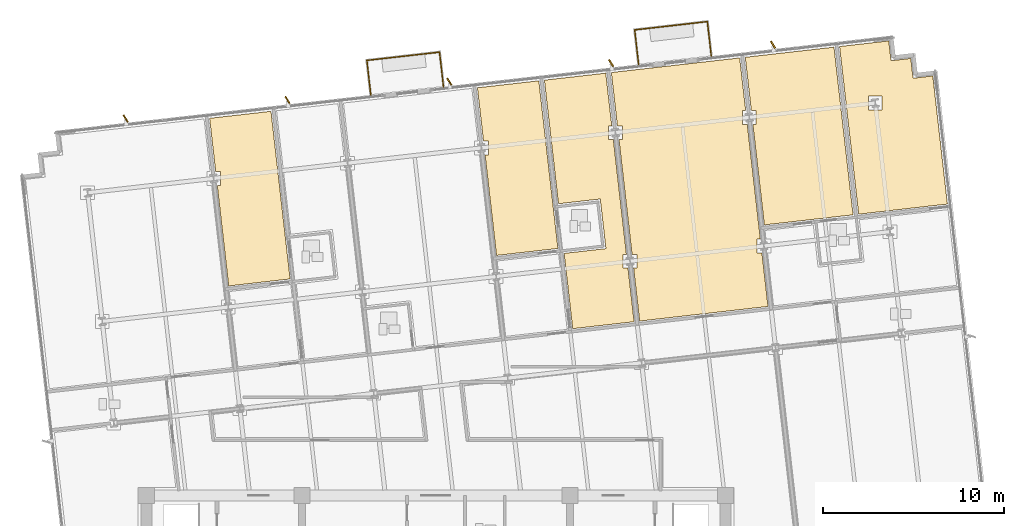
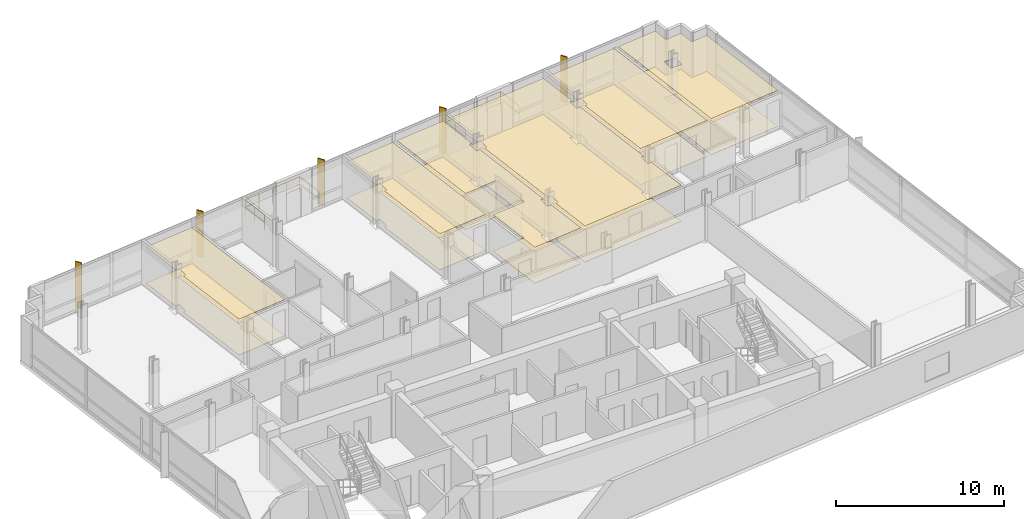
# One storey, part 15 of 16: 12 coverings, 6 railings, 5 shading devices.
"""IFC4 building model written with IfcOpenShell, lengths in metres."""

from ifc_helpers import new_model, si_unit, direction, frame, origin, origin_2d, place, context, subcontext, project, spatial, polyline, rectangle, circle, outline, extrude, material, layer, layer_set, type_object, element, save


model = new_model("IFC4")

# Units and contexts
model_context = context("Model", 3, precision=1e-05, world=origin(), true_north=direction((0.0, 1.0)))
body_context = subcontext(model_context, "Body", "Model", "MODEL_VIEW")
ifc_project = project(units=[si_unit("LENGTHUNIT", "METRE"), si_unit("AREAUNIT", "SQUARE_METRE"), si_unit("VOLUMEUNIT", "CUBIC_METRE"), si_unit("PLANEANGLEUNIT", "RADIAN"), si_unit("MASSUNIT", "GRAM", prefix="KILO")], contexts=[model_context])

# Site, building, storey
site_placement = place(None, origin())
site = spatial("IfcSite", under=ifc_project, at=site_placement, CompositionType="ELEMENT")
building_placement = place(site_placement, origin())
building = spatial("IfcBuilding", under=site, at=building_placement, Name="Solmavex Isthmus Hotel", CompositionType="ELEMENT")
storey_placement = place(building_placement, frame((0.0, 0.0, 205.5)))
storey = spatial("IfcBuildingStorey", under=building, at=storey_placement, Name="L55", CompositionType="ELEMENT", Elevation=205.5)

# Coverings
ifc_material_1 = material(Name="Gypsum plasterboard lining", Category="gypsum")
ifc_layer_1 = layer(ifc_material_1, 0.030029296875)
ifc_layer_set_1 = layer_set([ifc_layer_1], Name="Gypsum plasterboard lining")
covering_type_1 = type_object("IfcCoveringType", Name="COV-CEIL-GYP", PredefinedType="CEILING", material=ifc_layer_set_1)
covering_1_placement = place(storey_placement, frame((0.0, 0.0, 2.6201171875)))
element("IfcCovering", 1, at=covering_1_placement, inside=storey, type_object=covering_type_1, Name="Suspended Acoustic Ceiling L55-SL02-BD", PredefinedType="CEILING", context=body_context, shape_type="SweptSolid", body=[
    extrude(outline(polyline([(-12.17041015625, 15.3984375), (-11.903076171875, 15.3984375), (-11.903076171875, 14.638427734375), (-12.083740234375, 14.638427734375), (-11.763916015625, 11.832275390625), (-11.4501953125, 9.077392578125), (-8.05908203125, 9.4638671875), (-9.1142578125, 18.725830078125), (-12.50537109375, 18.339599609375), (-12.17041015625, 15.3984375)])), origin(), (0.0, 0.0, 1.0), 0.02978515625),
])
covering_2_placement = place(storey_placement, frame((0.0, 0.0, 2.6201171875)))
element("IfcCovering", 2, at=covering_2_placement, inside=storey, type_object=covering_type_1, Name="Suspended Acoustic Ceiling L55-SL04-BD", PredefinedType="CEILING", context=body_context, shape_type="SweptSolid", body=[
    extrude(outline(polyline([(2.6259765625, 17.084228515625), (2.893310546875, 17.084228515625), (2.893310546875, 16.32421875), (2.712646484375, 16.32421875), (3.34619140625, 10.763427734375), (6.7373046875, 11.149658203125), (5.681884765625, 20.411865234375), (2.290771484375, 20.025390625), (2.6259765625, 17.084228515625)])), origin(), (0.0, 0.0, 1.0), 0.02978515625),
])
covering_3_placement = place(storey_placement, frame((0.0, 0.0, 2.6201171875)))
element("IfcCovering", 3, at=covering_3_placement, inside=storey, type_object=covering_type_1, Name="Suspended Acoustic Ceiling L55-SV04", PredefinedType="CEILING", context=body_context, shape_type="SweptSolid", body=[
    extrude(outline(polyline([(9.798583984375, 17.167236328125), (9.531494140625, 17.167236328125), (9.531494140625, 17.92724609375), (9.712158203125, 17.92724609375), (9.381103515625, 20.833251953125), (5.989990234375, 20.44677734375), (6.767822265625, 13.619140625), (9.075927734375, 13.882080078125), (9.388427734375, 11.1396484375), (7.080322265625, 10.876708984375), (7.554443359375, 6.715576171875), (10.945556640625, 7.10205078125), (10.6083984375, 10.06103515625), (10.341064453125, 10.06103515625), (10.341064453125, 10.821044921875), (10.521728515625, 10.821044921875), (9.798583984375, 17.167236328125)])), origin(), (0.0, 0.0, 1.0), 0.02978515625),
])
covering_4_placement = place(storey_placement, frame((0.0, 0.0, 2.6201171875)))
element("IfcCovering", 4, at=covering_4_placement, inside=storey, type_object=covering_type_1, Name="Suspended Acoustic Ceiling L55-RM05", PredefinedType="CEILING", context=body_context, shape_type="SweptSolid", body=[
    extrude(outline(polyline([(10.833740234375, 10.821044921875), (11.10107421875, 10.821044921875), (11.10107421875, 10.06103515625), (10.92041015625, 10.06103515625), (11.25341796875, 7.13720703125), (18.343505859375, 7.945068359375), (18.006591796875, 10.904052734375), (17.7392578125, 10.904052734375), (17.7392578125, 11.6640625), (17.919921875, 11.6640625), (17.19677734375, 18.010009765625), (16.929443359375, 18.010009765625), (16.929443359375, 18.77001953125), (17.1103515625, 18.77001953125), (16.779052734375, 21.676025390625), (9.68896484375, 20.868408203125), (10.024169921875, 17.92724609375), (10.29150390625, 17.92724609375), (10.29150390625, 17.167236328125), (10.110595703125, 17.167236328125), (10.833740234375, 10.821044921875)])), origin(), (0.0, 0.0, 1.0), 0.02978515625),
])
covering_5_placement = place(storey_placement, frame((0.0, 0.0, 2.6201171875)))
element("IfcCovering", 5, at=covering_5_placement, inside=storey, type_object=covering_type_1, Name="Suspended Acoustic Ceiling L55-TB06", PredefinedType="CEILING", context=body_context, shape_type="SweptSolid", body=[
    extrude(outline(polyline([(17.42236328125, 18.77001953125), (17.689453125, 18.77001953125), (17.689453125, 18.010009765625), (17.5087890625, 18.010009765625), (18.142333984375, 12.44921875), (23.044677734375, 13.007568359375), (21.989501953125, 22.269775390625), (17.087158203125, 21.711181640625), (17.42236328125, 18.77001953125)])), origin(), (0.0, 0.0, 1.0), 0.02978515625),
])
covering_6_placement = place(storey_placement, frame((0.0, 0.0, 2.6201171875)))
element("IfcCovering", 6, at=covering_6_placement, inside=storey, type_object=covering_type_1, Name="Suspended Acoustic Ceiling L55-TL06", PredefinedType="CEILING", context=body_context, shape_type="SweptSolid", body=[
    extrude(outline(polyline([(25.013916015625, 22.6142578125), (24.194091796875, 22.52099609375), (22.29736328125, 22.304931640625), (23.352783203125, 13.042724609375), (28.2548828125, 13.601318359375), (27.542236328125, 19.85791015625), (27.44873046875, 20.677490234375), (26.35595703125, 20.552978515625), (26.231201171875, 21.64599609375), (25.138427734375, 21.521484375), (25.013916015625, 22.6142578125)]), holes=[polyline([(23.892578125, 19.5634765625), (24.652587890625, 19.5634765625), (24.652587890625, 18.803466796875), (23.892578125, 18.803466796875), (23.892578125, 19.5634765625)])]), origin(), (0.0, 0.0, 1.0), 0.02978515625),
])
ifc_material_2 = material(Name="Travertine natural stone", Category="masonry")
ifc_layer_2 = layer(ifc_material_2, 0.02490234375)
ifc_layer_set_2 = layer_set([ifc_layer_2], Name="Travertine natural stone")
covering_type_2 = type_object("IfcCoveringType", Name="COV-FLOR-STN", PredefinedType="FLOORING", material=ifc_layer_set_2)
covering_7_placement = place(storey_placement, origin())
element("IfcCovering", 7, at=covering_7_placement, inside=storey, type_object=covering_type_2, Name="Stone and Timber Floor Finish L55-SL02-BD", PredefinedType="FLOORING", context=body_context, shape_type="SweptSolid", body=[
    extrude(outline(polyline([(-12.17041015625, 15.3984375), (-11.903076171875, 15.3984375), (-11.903076171875, 14.638427734375), (-12.083740234375, 14.638427734375), (-11.763916015625, 11.832275390625), (-11.4501953125, 9.077392578125), (-8.05908203125, 9.4638671875), (-9.1142578125, 18.725830078125), (-12.50537109375, 18.339599609375), (-12.17041015625, 15.3984375)])), origin(), (0.0, 0.0, 1.0), 0.02490234375),
])
covering_8_placement = place(storey_placement, origin())
element("IfcCovering", 8, at=covering_8_placement, inside=storey, type_object=covering_type_2, Name="Stone and Timber Floor Finish L55-SL04-BD", PredefinedType="FLOORING", context=body_context, shape_type="SweptSolid", body=[
    extrude(outline(polyline([(2.6259765625, 17.084228515625), (2.893310546875, 17.084228515625), (2.893310546875, 16.32421875), (2.712646484375, 16.32421875), (3.34619140625, 10.763427734375), (6.7373046875, 11.149658203125), (5.681884765625, 20.411865234375), (2.290771484375, 20.025390625), (2.6259765625, 17.084228515625)])), origin(), (0.0, 0.0, 1.0), 0.02490234375),
])
covering_9_placement = place(storey_placement, origin())
element("IfcCovering", 9, at=covering_9_placement, inside=storey, type_object=covering_type_2, Name="Stone and Timber Floor Finish L55-SV04", PredefinedType="FLOORING", context=body_context, shape_type="SweptSolid", body=[
    extrude(outline(polyline([(9.798583984375, 17.167236328125), (9.531494140625, 17.167236328125), (9.531494140625, 17.92724609375), (9.712158203125, 17.92724609375), (9.381103515625, 20.833251953125), (5.989990234375, 20.44677734375), (6.767822265625, 13.619140625), (9.075927734375, 13.882080078125), (9.388427734375, 11.1396484375), (7.080322265625, 10.876708984375), (7.554443359375, 6.715576171875), (10.945556640625, 7.10205078125), (10.6083984375, 10.06103515625), (10.341064453125, 10.06103515625), (10.341064453125, 10.821044921875), (10.521728515625, 10.821044921875), (9.798583984375, 17.167236328125)])), origin(), (0.0, 0.0, 1.0), 0.02490234375),
])
covering_10_placement = place(storey_placement, origin())
element("IfcCovering", 10, at=covering_10_placement, inside=storey, type_object=covering_type_2, Name="Stone and Timber Floor Finish L55-RM05", PredefinedType="FLOORING", context=body_context, shape_type="SweptSolid", body=[
    extrude(outline(polyline([(10.833740234375, 10.821044921875), (11.10107421875, 10.821044921875), (11.10107421875, 10.06103515625), (10.92041015625, 10.06103515625), (11.25341796875, 7.13720703125), (18.343505859375, 7.945068359375), (18.006591796875, 10.904052734375), (17.7392578125, 10.904052734375), (17.7392578125, 11.6640625), (17.919921875, 11.6640625), (17.19677734375, 18.010009765625), (16.929443359375, 18.010009765625), (16.929443359375, 18.77001953125), (17.1103515625, 18.77001953125), (16.779052734375, 21.676025390625), (9.68896484375, 20.868408203125), (10.024169921875, 17.92724609375), (10.29150390625, 17.92724609375), (10.29150390625, 17.167236328125), (10.110595703125, 17.167236328125), (10.833740234375, 10.821044921875)])), origin(), (0.0, 0.0, 1.0), 0.02490234375),
])
covering_11_placement = place(storey_placement, origin())
element("IfcCovering", 11, at=covering_11_placement, inside=storey, type_object=covering_type_2, Name="Stone and Timber Floor Finish L55-TB06", PredefinedType="FLOORING", context=body_context, shape_type="SweptSolid", body=[
    extrude(outline(polyline([(17.42236328125, 18.77001953125), (17.689453125, 18.77001953125), (17.689453125, 18.010009765625), (17.5087890625, 18.010009765625), (18.142333984375, 12.44921875), (23.044677734375, 13.007568359375), (21.989501953125, 22.269775390625), (17.087158203125, 21.711181640625), (17.42236328125, 18.77001953125)])), origin(), (0.0, 0.0, 1.0), 0.02490234375),
])
covering_12_placement = place(storey_placement, origin())
element("IfcCovering", 12, at=covering_12_placement, inside=storey, type_object=covering_type_2, Name="Stone and Timber Floor Finish L55-TL06", PredefinedType="FLOORING", context=body_context, shape_type="SweptSolid", body=[
    extrude(outline(polyline([(25.013916015625, 22.6142578125), (24.194091796875, 22.52099609375), (22.29736328125, 22.304931640625), (23.352783203125, 13.042724609375), (28.2548828125, 13.601318359375), (27.542236328125, 19.85791015625), (27.44873046875, 20.677490234375), (26.35595703125, 20.552978515625), (26.231201171875, 21.64599609375), (25.138427734375, 21.521484375), (25.013916015625, 22.6142578125)]), holes=[polyline([(23.892578125, 19.5634765625), (24.652587890625, 19.5634765625), (24.652587890625, 18.803466796875), (23.892578125, 18.803466796875), (23.892578125, 19.5634765625)])]), origin(), (0.0, 0.0, 1.0), 0.02490234375),
])

# Railings
ifc_material_3 = material(Name="Clear low-E laminated glass", Category="glass")
ifc_layer_3 = layer(ifc_material_3, 0.070068359375)
ifc_layer_set_3 = layer_set([ifc_layer_3], Name="Clear low-E laminated glass")
railing_type = type_object("IfcRailingType", Name="RAIL-GUARD-1100", PredefinedType="BALUSTRADE", material=ifc_layer_set_3)
railing_1_placement = place(storey_placement, frame((-3.600341796875, 19.630859375, 0.0)))
element("IfcRailing", 13, at=railing_1_placement, inside=storey, type_object=railing_type, Name="Guardrail Balustrade L55-BAL1-01", PredefinedType="BALUSTRADE", context=body_context, shape_type="SweptSolid", body=[
    extrude(circle(Radius=0.02392578125, at=origin_2d()), frame((0.0, 0.0, 1.09619140625), z_axis=(-0.113166454875, 0.993576043135, 0.0), x_axis=(-0.993576043135, -0.113166454875, 0.0)), (0.0, 0.0, 1.0), 1.920166015625),
    extrude(circle(Radius=0.02392578125, at=origin_2d()), frame((0.0, 0.0, 0.56005859375), z_axis=(-0.113166454875, 0.993576043135, 0.0), x_axis=(-0.993576043135, -0.113166454875, 0.0)), (0.0, 0.0, 1.0), 1.920166015625),
    extrude(circle(Radius=0.02099609375, at=origin_2d()), origin(), (0.0, 0.0, 1.0), 1.072021484375),
    extrude(circle(Radius=0.02099609375, at=origin_2d()), frame((-0.108642578125, 0.953857421875, 0.0)), (0.0, 0.0, 1.0), 1.072021484375),
    extrude(circle(Radius=0.02099609375, at=origin_2d()), frame((-0.21728515625, 1.90771484375, 0.0)), (0.0, 0.0, 1.0), 1.072021484375),
])
railing_2_placement = place(storey_placement, frame((-3.817626953125, 21.53857421875, 0.0)))
element("IfcRailing", 14, at=railing_2_placement, inside=storey, type_object=railing_type, Name="Guardrail Balustrade L55-BAL1-02", PredefinedType="BALUSTRADE", context=body_context, shape_type="SweptSolid", body=[
    extrude(circle(Radius=0.02392578125, at=origin_2d()), frame((0.0, 0.0, 1.09619140625), z_axis=(0.993573319275, 0.113190367192, 0.0), x_axis=(-0.113190367192, 0.993573319275, 0.0)), (0.0, 0.0, 1.0), 4.039794921875),
    extrude(circle(Radius=0.02392578125, at=origin_2d()), frame((0.0, 0.0, 0.56005859375), z_axis=(0.993573319275, 0.113190367192, 0.0), x_axis=(-0.113190367192, 0.993573319275, 0.0)), (0.0, 0.0, 1.0), 4.039794921875),
    extrude(circle(Radius=0.02099609375, at=origin_2d()), origin(), (0.0, 0.0, 1.0), 1.072021484375),
    extrude(circle(Radius=0.02099609375, at=origin_2d()), frame((1.00341796875, 0.1142578125, 0.0)), (0.0, 0.0, 1.0), 1.072021484375),
    extrude(circle(Radius=0.02099609375, at=origin_2d()), frame((2.0068359375, 0.228515625, 0.0)), (0.0, 0.0, 1.0), 1.072021484375),
    extrude(circle(Radius=0.02099609375, at=origin_2d()), frame((3.010498046875, 0.343017578125, 0.0)), (0.0, 0.0, 1.0), 1.072021484375),
    extrude(circle(Radius=0.02099609375, at=origin_2d()), frame((4.013916015625, 0.457275390625, 0.0)), (0.0, 0.0, 1.0), 1.072021484375),
])
railing_3_placement = place(storey_placement, frame((0.1962890625, 21.995849609375, 0.0)))
element("IfcRailing", 15, at=railing_3_placement, inside=storey, type_object=railing_type, Name="Guardrail Balustrade L55-BAL1-03", PredefinedType="BALUSTRADE", context=body_context, shape_type="SweptSolid", body=[
    extrude(circle(Radius=0.02392578125, at=origin_2d()), frame((0.0, 0.0, 1.09619140625), z_axis=(0.113180753722, -0.993574414418, 0.0), x_axis=(0.993574414418, 0.113180753722, 0.0)), (0.0, 0.0, 1.0), 1.919921875),
    extrude(circle(Radius=0.02392578125, at=origin_2d()), frame((0.0, 0.0, 0.56005859375), z_axis=(0.113180753722, -0.993574414418, 0.0), x_axis=(0.993574414418, 0.113180753722, 0.0)), (0.0, 0.0, 1.0), 1.919921875),
    extrude(circle(Radius=0.02099609375, at=origin_2d()), origin(), (0.0, 0.0, 1.0), 1.072021484375),
    extrude(circle(Radius=0.02099609375, at=origin_2d()), frame((0.108642578125, -0.95361328125, 0.0)), (0.0, 0.0, 1.0), 1.072021484375),
    extrude(circle(Radius=0.02099609375, at=origin_2d()), frame((0.21728515625, -1.907470703125, 0.0)), (0.0, 0.0, 1.0), 1.072021484375),
])
railing_4_placement = place(storey_placement, frame((11.196044921875, 21.31689453125, 0.0)))
element("IfcRailing", 16, at=railing_4_placement, inside=storey, type_object=railing_type, Name="Guardrail Balustrade L55-BAL2-01", PredefinedType="BALUSTRADE", context=body_context, shape_type="SweptSolid", body=[
    extrude(circle(Radius=0.02392578125, at=origin_2d()), frame((0.0, 0.0, 1.09619140625), z_axis=(-0.113306291372, 0.993560106051, 0.0), x_axis=(-0.993560106051, -0.113306291372, 0.0)), (0.0, 0.0, 1.0), 1.919921875),
    extrude(circle(Radius=0.02392578125, at=origin_2d()), frame((0.0, 0.0, 0.56005859375), z_axis=(-0.113306291372, 0.993560106051, 0.0), x_axis=(-0.993560106051, -0.113306291372, 0.0)), (0.0, 0.0, 1.0), 1.919921875),
    extrude(circle(Radius=0.02099609375, at=origin_2d()), origin(), (0.0, 0.0, 1.0), 1.072021484375),
    extrude(circle(Radius=0.02099609375, at=origin_2d()), frame((-0.10888671875, 0.95361328125, 0.0)), (0.0, 0.0, 1.0), 1.072021484375),
    extrude(circle(Radius=0.02099609375, at=origin_2d()), frame((-0.217529296875, 1.907470703125, 0.0)), (0.0, 0.0, 1.0), 1.072021484375),
])
railing_5_placement = place(storey_placement, frame((10.978515625, 23.224365234375, 0.0)))
element("IfcRailing", 17, at=railing_5_placement, inside=storey, type_object=railing_type, Name="Guardrail Balustrade L55-BAL2-02", PredefinedType="BALUSTRADE", context=body_context, shape_type="SweptSolid", body=[
    extrude(circle(Radius=0.02392578125, at=origin_2d()), frame((0.0, 0.0, 1.09619140625), z_axis=(0.993567296105, 0.113243225453, 0.0), x_axis=(-0.113243225453, 0.993567296105, 0.0)), (0.0, 0.0, 1.0), 4.0400390625),
    extrude(circle(Radius=0.02392578125, at=origin_2d()), frame((0.0, 0.0, 0.56005859375), z_axis=(0.993567296105, 0.113243225453, 0.0), x_axis=(-0.113243225453, 0.993567296105, 0.0)), (0.0, 0.0, 1.0), 4.0400390625),
    extrude(circle(Radius=0.02099609375, at=origin_2d()), origin(), (0.0, 0.0, 1.0), 1.072021484375),
    extrude(circle(Radius=0.02099609375, at=origin_2d()), frame((1.00341796875, 0.1142578125, 0.0)), (0.0, 0.0, 1.0), 1.072021484375),
    extrude(circle(Radius=0.02099609375, at=origin_2d()), frame((2.007080078125, 0.228759765625, 0.0)), (0.0, 0.0, 1.0), 1.072021484375),
    extrude(circle(Radius=0.02099609375, at=origin_2d()), frame((3.0107421875, 0.34326171875, 0.0)), (0.0, 0.0, 1.0), 1.072021484375),
    extrude(circle(Radius=0.02099609375, at=origin_2d()), frame((4.01416015625, 0.45751953125, 0.0)), (0.0, 0.0, 1.0), 1.072021484375),
])
railing_6_placement = place(storey_placement, frame((14.99267578125, 23.681884765625, 0.0)))
element("IfcRailing", 18, at=railing_6_placement, inside=storey, type_object=railing_type, Name="Guardrail Balustrade L55-BAL2-03", PredefinedType="BALUSTRADE", context=body_context, shape_type="SweptSolid", body=[
    extrude(circle(Radius=0.02392578125, at=origin_2d()), frame((0.0, 0.0, 1.09619140625), z_axis=(0.113166454875, -0.993576043135, 0.0), x_axis=(0.993576043135, 0.113166454875, 0.0)), (0.0, 0.0, 1.0), 1.920166015625),
    extrude(circle(Radius=0.02392578125, at=origin_2d()), frame((0.0, 0.0, 0.56005859375), z_axis=(0.113166454875, -0.993576043135, 0.0), x_axis=(0.993576043135, 0.113166454875, 0.0)), (0.0, 0.0, 1.0), 1.920166015625),
    extrude(circle(Radius=0.02099609375, at=origin_2d()), origin(), (0.0, 0.0, 1.0), 1.072021484375),
    extrude(circle(Radius=0.02099609375, at=origin_2d()), frame((0.108642578125, -0.953857421875, 0.0)), (0.0, 0.0, 1.0), 1.072021484375),
    extrude(circle(Radius=0.02099609375, at=origin_2d()), frame((0.21728515625, -1.90771484375, 0.0)), (0.0, 0.0, 1.0), 1.072021484375),
])

# Shading devices
ifc_material_4 = material(Name="Aluminium alloy 6063-T6", Category="aluminium")
shading_device_type = type_object("IfcShadingDeviceType", Name="SHD-FIN-BRONZE", PredefinedType="USERDEFINED", material=ifc_material_4)
for number, where, z_axis, x_axis, name in (
    (19, (-17.14697265625, 18.3291015625, -0.14013671875), (0.0, 0.0, 1.0), (-0.537299608347, 0.843391445813, 0.0), "Anodised Aluminium Solar Fin L55-N1"),
    (20, (-8.204833984375, 19.347900390625, -0.14013671875), (0.0, 0.0, 1.0), (-0.537299608347, 0.843391445813, 0.0), "Anodised Aluminium Solar Fin L55-N2"),
    (21, (0.7373046875, 20.36669921875, -0.14013671875), (0.0, 0.0, 1.0), (-0.537299608347, 0.843391445813, 0.0), "Anodised Aluminium Solar Fin L55-N3"),
    (22, (9.679443359375, 21.385498046875, -0.14013671875), (0.0, 0.0, 1.0), (-0.537299608347, 0.843391445813, 0.0), "Anodised Aluminium Solar Fin L55-N4"),
    (23, (18.62158203125, 22.404296875, -0.14013671875), (0.0, 0.0, 1.0), (-0.537299608347, 0.843391445813, 0.0), "Anodised Aluminium Solar Fin L55-N5"),
):
    element("IfcShadingDevice", number, at=place(storey_placement, frame(where, z_axis=z_axis, x_axis=x_axis)), inside=storey, type_object=shading_device_type, Name=name, ObjectType="SOLAR_FIN", PredefinedType="USERDEFINED", context=body_context, shape_type="SweptSolid", body=[
        extrude(rectangle(XDim=0.449951171875, YDim=0.080078125, at=origin_2d()), origin(), (0.0, 0.0, 1.0), 3.330078125),
    ])

save(model, "model.ifc")
